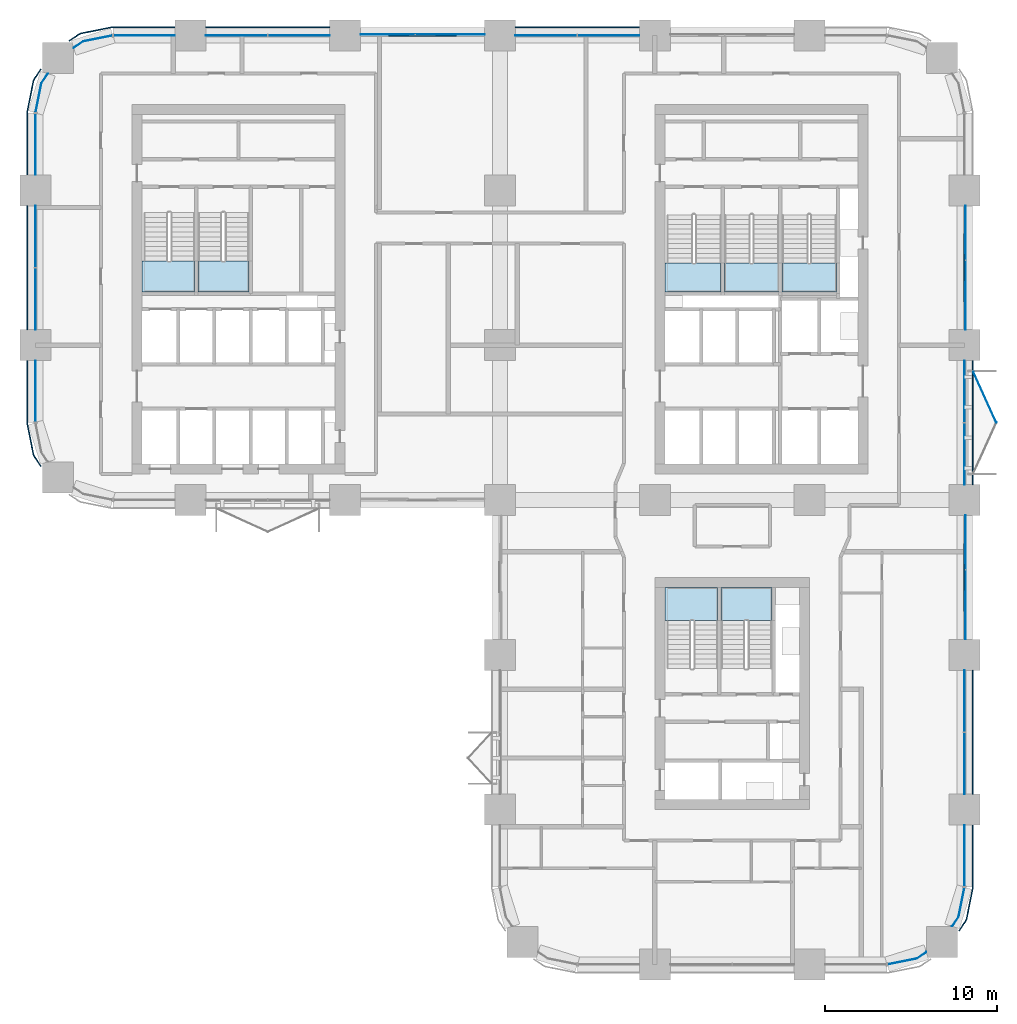
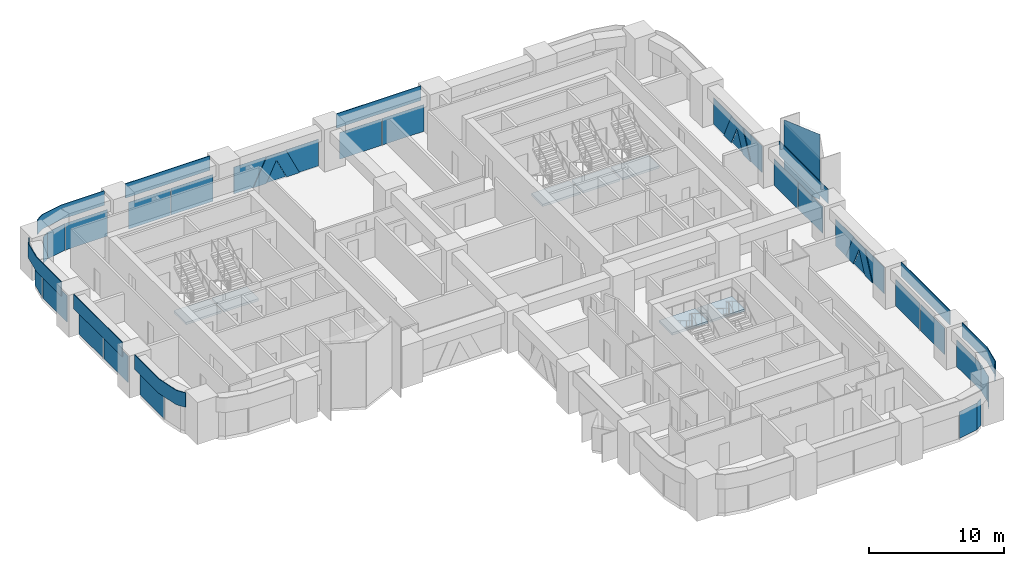
# One storey, part 11 of 24: 40 plates, 7 slabs, 20 elements without a shape of their own.
"""IFC4 building model written with IfcOpenShell, lengths in metres."""

from ifc_helpers import new_model, si_unit, direction, frame, origin, origin_2d, place, context, subcontext, project, spatial, polyline, rectangle, outline, extrude, material, layer, layer_set, type_object, element, aggregate, save


model = new_model("IFC4")

# Units and contexts
model_context = context("Model", 3, precision=1e-05, world=origin(), true_north=direction((0.0, 1.0)))
body_context = subcontext(model_context, "Body", "Model", "MODEL_VIEW")
ifc_project = project(units=[si_unit("LENGTHUNIT", "METRE"), si_unit("AREAUNIT", "SQUARE_METRE"), si_unit("VOLUMEUNIT", "CUBIC_METRE"), si_unit("PLANEANGLEUNIT", "RADIAN"), si_unit("MASSUNIT", "GRAM", prefix="KILO")], contexts=[model_context])

# Site, building, storey
site_placement = place(None, origin())
site = spatial("IfcSite", under=ifc_project, at=site_placement, CompositionType="ELEMENT")
building_placement = place(site_placement, origin())
building = spatial("IfcBuilding", under=site, at=building_placement, Name="Tessera Arch", CompositionType="ELEMENT")
storey_placement = place(building_placement, frame((0.0, 0.0, 81.60009765625)))
storey = spatial("IfcBuildingStorey", under=building, at=storey_placement, Name="L18", CompositionType="ELEMENT", Elevation=81.60009765625)

# Curtain wall, plates
ifc_material_1 = material(Name="CW1 curtain wall")
curtain_wall_type_1 = type_object("IfcCurtainWallType", Name="CW1 curtain wall", PredefinedType="NOTDEFINED", material=ifc_material_1)
curtain_wall_1_placement = place(storey_placement, origin())
curtain_wall_1 = element("IfcCurtainWall", 1, at=curtain_wall_1_placement, inside=storey, type_object=curtain_wall_type_1, Name="CW1 curtain wall N54.0/1 L18", PredefinedType="NOTDEFINED")
ifc_material_2 = material(Name="Clear low-e glass", Category="glass")
ifc_material_3 = material(Name="Clear low-e glass", Category="glass")
ifc_layer_1 = layer(ifc_material_3, 0.028076171875)
ifc_layer_set_1 = layer_set([ifc_layer_1], Name="CW1 glass panel")
plate_type_1 = type_object("IfcPlateType", Name="CW1 glass panel", PredefinedType="CURTAIN_PANEL", material=ifc_layer_set_1)
plate_1_placement = place(storey_placement, frame((33.31494140625, 54.0, 0.0), z_axis=(0.0, 0.0, 1.0), x_axis=(-1.0, 0.0, 0.0)))
plate_1 = element("IfcPlate", 2, at=plate_1_placement, type_object=plate_type_1, material=ifc_material_2, Name="CW1 glass panel N54.0/1 1.1.1", PredefinedType="CURTAIN_PANEL", context=body_context, shape_type="SweptSolid", body=[
    extrude(rectangle(XDim=3.570068359375, YDim=0.028076171875, at=origin_2d()), origin(), (0.0, 0.0, 1.0), 2.39990234375),
])
plate_2_placement = place(storey_placement, frame((29.68505859375, 54.0, 0.0), z_axis=(0.0, 0.0, 1.0), x_axis=(-1.0, 0.0, 0.0)))
plate_2 = element("IfcPlate", 3, at=plate_2_placement, type_object=plate_type_1, material=ifc_material_2, Name="CW1 glass panel N54.0/1 1.2.1", PredefinedType="CURTAIN_PANEL", context=body_context, shape_type="SweptSolid", body=[
    extrude(rectangle(XDim=3.570068359375, YDim=0.028076171875, at=origin_2d()), origin(), (0.0, 0.0, 1.0), 2.39990234375),
])

curtain_wall_2_placement = place(storey_placement, origin())
curtain_wall_2 = element("IfcCurtainWall", 4, at=curtain_wall_2_placement, inside=storey, type_object=curtain_wall_type_1, Name="CW1 curtain wall N54.0/3 L18", PredefinedType="NOTDEFINED")
plate_3_placement = place(storey_placement, frame((15.31494140625, 54.0, 0.0), z_axis=(0.0, 0.0, 1.0), x_axis=(-1.0, 0.0, 0.0)))
plate_3 = element("IfcPlate", 5, at=plate_3_placement, type_object=plate_type_1, material=ifc_material_2, Name="CW1 glass panel N54.0/3 1.1.1", PredefinedType="CURTAIN_PANEL", context=body_context, shape_type="SweptSolid", body=[
    extrude(rectangle(XDim=3.570068359375, YDim=0.028076171875, at=origin_2d()), origin(), (0.0, 0.0, 1.0), 2.39990234375),
])
plate_4_placement = place(storey_placement, frame((11.68505859375, 54.0, 0.0), z_axis=(0.0, 0.0, 1.0), x_axis=(-1.0, 0.0, 0.0)))
plate_4 = element("IfcPlate", 6, at=plate_4_placement, type_object=plate_type_1, material=ifc_material_2, Name="CW1 glass panel N54.0/3 1.2.1", PredefinedType="CURTAIN_PANEL", context=body_context, shape_type="SweptSolid", body=[
    extrude(rectangle(XDim=3.570068359375, YDim=0.028076171875, at=origin_2d()), origin(), (0.0, 0.0, 1.0), 2.39990234375),
])

curtain_wall_3_placement = place(storey_placement, origin())
curtain_wall_3 = element("IfcCurtainWall", 7, at=curtain_wall_3_placement, inside=storey, type_object=curtain_wall_type_1, Name="CW1 curtain wall W0.27/1 L18", PredefinedType="NOTDEFINED")
plate_5_placement = place(storey_placement, frame((0.0, 42.31494140625, 0.0), z_axis=(0.0, 0.0, 1.0), x_axis=(0.0, -1.0, 0.0)))
plate_5 = element("IfcPlate", 8, at=plate_5_placement, type_object=plate_type_1, material=ifc_material_2, Name="CW1 glass panel W0.27/1 1.1.1", PredefinedType="CURTAIN_PANEL", context=body_context, shape_type="SweptSolid", body=[
    extrude(rectangle(XDim=3.570068359375, YDim=0.028076171875, at=origin_2d()), origin(), (0.0, 0.0, 1.0), 2.39990234375),
])
plate_6_placement = place(storey_placement, frame((0.0, 38.68505859375, 0.0), z_axis=(0.0, 0.0, 1.0), x_axis=(0.0, -1.0, 0.0)))
plate_6 = element("IfcPlate", 9, at=plate_6_placement, type_object=plate_type_1, material=ifc_material_2, Name="CW1 glass panel W0.27/1 1.2.1", PredefinedType="CURTAIN_PANEL", context=body_context, shape_type="SweptSolid", body=[
    extrude(rectangle(XDim=3.570068359375, YDim=0.028076171875, at=origin_2d()), origin(), (0.0, 0.0, 1.0), 2.39990234375),
])

curtain_wall_4_placement = place(storey_placement, origin())
curtain_wall_4 = element("IfcCurtainWall", 10, at=curtain_wall_4_placement, inside=storey, type_object=curtain_wall_type_1, Name="CW1 curtain wall E54.0/1 L18", PredefinedType="NOTDEFINED")
plate_7_placement = place(storey_placement, frame((54.0, 11.68505859375, 0.0), z_axis=(0.0, 0.0, 1.0), x_axis=(0.0, 1.0, 0.0)))
plate_7 = element("IfcPlate", 11, at=plate_7_placement, type_object=plate_type_1, material=ifc_material_2, Name="CW1 glass panel E54.0/1 1.1.1", PredefinedType="CURTAIN_PANEL", context=body_context, shape_type="SweptSolid", body=[
    extrude(rectangle(XDim=3.570068359375, YDim=0.028076171875, at=origin_2d()), origin(), (0.0, 0.0, 1.0), 2.39990234375),
])
plate_8_placement = place(storey_placement, frame((54.0, 15.31494140625, 0.0), z_axis=(0.0, 0.0, 1.0), x_axis=(0.0, 1.0, 0.0)))
plate_8 = element("IfcPlate", 12, at=plate_8_placement, type_object=plate_type_1, material=ifc_material_2, Name="CW1 glass panel E54.0/1 1.2.1", PredefinedType="CURTAIN_PANEL", context=body_context, shape_type="SweptSolid", body=[
    extrude(rectangle(XDim=3.570068359375, YDim=0.028076171875, at=origin_2d()), origin(), (0.0, 0.0, 1.0), 2.39990234375),
])

curtain_wall_5_placement = place(storey_placement, origin())
curtain_wall_5 = element("IfcCurtainWall", 13, at=curtain_wall_5_placement, inside=storey, type_object=curtain_wall_type_1, Name="CW1 curtain wall E54.0/3 L18", PredefinedType="NOTDEFINED")
plate_9_placement = place(storey_placement, frame((54.0, 29.68505859375, 0.0), z_axis=(0.0, 0.0, 1.0), x_axis=(0.0, 1.0, 0.0)))
plate_9 = element("IfcPlate", 14, at=plate_9_placement, type_object=plate_type_1, material=ifc_material_2, Name="CW1 glass panel E54.0/3 1.1.1", PredefinedType="CURTAIN_PANEL", context=body_context, shape_type="SweptSolid", body=[
    extrude(rectangle(XDim=3.570068359375, YDim=0.028076171875, at=origin_2d()), origin(), (0.0, 0.0, 1.0), 2.39990234375),
])
plate_10_placement = place(storey_placement, frame((54.0, 33.31494140625, 0.0), z_axis=(0.0, 0.0, 1.0), x_axis=(0.0, 1.0, 0.0)))
plate_10 = element("IfcPlate", 15, at=plate_10_placement, type_object=plate_type_1, material=ifc_material_2, Name="CW1 glass panel E54.0/3 1.2.1", PredefinedType="CURTAIN_PANEL", context=body_context, shape_type="SweptSolid", body=[
    extrude(rectangle(XDim=3.570068359375, YDim=0.028076171875, at=origin_2d()), origin(), (0.0, 0.0, 1.0), 2.39990234375),
])

# Plate
ifc_material_4 = material(Name="Pale anodised aluminium panel", Category="aluminium")
ifc_layer_2 = layer(ifc_material_4, 0.06005859375)
ifc_layer_set_2 = layer_set([ifc_layer_2], Name="CW1 spandrel panel")
plate_type_2 = type_object("IfcPlateType", Name="CW1 spandrel panel", PredefinedType="CURTAIN_PANEL", material=ifc_layer_set_2)
plate_11_placement = place(storey_placement, frame((31.5, 54.47998046875, 2.5), z_axis=(0.0, 0.0, 1.0), x_axis=(-1.0, 0.0, 0.0)))
plate_11 = element("IfcPlate", 16, at=plate_11_placement, type_object=plate_type_2, Name="CW1 spandrel panel N54.0/1", PredefinedType="CURTAIN_PANEL", context=body_context, shape_type="SweptSolid", body=[
    extrude(rectangle(XDim=7.199951171875, YDim=0.06005859375, at=origin_2d()), origin(), (0.0, 0.0, 1.0), 1.300048828125),
])

aggregate(curtain_wall_1, [plate_1, plate_2, plate_11])

plate_12_placement = place(storey_placement, frame((13.5, 54.47998046875, 2.5), z_axis=(0.0, 0.0, 1.0), x_axis=(-1.0, 0.0, 0.0)))
plate_12 = element("IfcPlate", 17, at=plate_12_placement, type_object=plate_type_2, Name="CW1 spandrel panel N54.0/3", PredefinedType="CURTAIN_PANEL", context=body_context, shape_type="SweptSolid", body=[
    extrude(rectangle(XDim=7.199951171875, YDim=0.06005859375, at=origin_2d()), origin(), (0.0, 0.0, 1.0), 1.300048828125),
])

aggregate(curtain_wall_2, [plate_3, plate_4, plate_12])

plate_13_placement = place(storey_placement, frame((-0.47998046875, 40.5, 2.5), z_axis=(0.0, 0.0, 1.0), x_axis=(0.0, -1.0, 0.0)))
plate_13 = element("IfcPlate", 18, at=plate_13_placement, type_object=plate_type_2, Name="CW1 spandrel panel W0.27/1", PredefinedType="CURTAIN_PANEL", context=body_context, shape_type="SweptSolid", body=[
    extrude(rectangle(XDim=7.199951171875, YDim=0.06005859375, at=origin_2d()), origin(), (0.0, 0.0, 1.0), 1.300048828125),
])

aggregate(curtain_wall_3, [plate_5, plate_6, plate_13])

plate_14_placement = place(storey_placement, frame((54.47998046875, 13.5, 2.5), z_axis=(0.0, 0.0, 1.0), x_axis=(0.0, 1.0, 0.0)))
plate_14 = element("IfcPlate", 19, at=plate_14_placement, type_object=plate_type_2, Name="CW1 spandrel panel E54.0/1", PredefinedType="CURTAIN_PANEL", context=body_context, shape_type="SweptSolid", body=[
    extrude(rectangle(XDim=7.199951171875, YDim=0.06005859375, at=origin_2d()), origin(), (0.0, 0.0, 1.0), 1.300048828125),
])

aggregate(curtain_wall_4, [plate_7, plate_8, plate_14])

plate_15_placement = place(storey_placement, frame((54.47998046875, 31.5, 2.5), z_axis=(0.0, 0.0, 1.0), x_axis=(0.0, 1.0, 0.0)))
plate_15 = element("IfcPlate", 20, at=plate_15_placement, type_object=plate_type_2, Name="CW1 spandrel panel E54.0/3", PredefinedType="CURTAIN_PANEL", context=body_context, shape_type="SweptSolid", body=[
    extrude(rectangle(XDim=7.199951171875, YDim=0.06005859375, at=origin_2d()), origin(), (0.0, 0.0, 1.0), 1.300048828125),
])

aggregate(curtain_wall_5, [plate_9, plate_10, plate_15])

# Curtain wall, plates
ifc_material_5 = material(Name="CW2 curtain wall")
curtain_wall_type_2 = type_object("IfcCurtainWallType", Name="CW2 curtain wall", PredefinedType="NOTDEFINED", material=ifc_material_5)
curtain_wall_6_placement = place(storey_placement, origin())
curtain_wall_6 = element("IfcCurtainWall", 21, at=curtain_wall_6_placement, inside=storey, type_object=curtain_wall_type_2, Name="CW2 curtain wall N54.0/4 L18", PredefinedType="NOTDEFINED")
ifc_material_6 = material(Name="Clear low-e glass", Category="glass")
ifc_layer_3 = layer(ifc_material_6, 0.028076171875)
ifc_layer_set_3 = layer_set([ifc_layer_3], Name="CW2 glass panel")
plate_type_3 = type_object("IfcPlateType", Name="CW2 glass panel", PredefinedType="CURTAIN_PANEL", material=ifc_layer_set_3)
plate_16_placement = place(storey_placement, frame((6.320068359375, 54.0, 0.0), z_axis=(0.0, 0.0, 1.0), x_axis=(-1.0, 0.0, 0.0)))
plate_16 = element("IfcPlate", 22, at=plate_16_placement, type_object=plate_type_3, material=ifc_material_2, Name="CW2 glass panel N54.0/4 1.1", PredefinedType="CURTAIN_PANEL", context=body_context, shape_type="SweptSolid", body=[
    extrude(rectangle(XDim=3.56005859375, YDim=0.028076171875, at=origin_2d()), origin(), (0.0, 0.0, 1.0), 2.39990234375),
])
plate_17_placement = place(storey_placement, origin())
plate_17 = element("IfcPlate", 23, at=plate_17_placement, type_object=plate_type_3, material=ifc_material_2, Name="CW2 curved glass panel N54.0/4 2.1", PredefinedType="CURTAIN_PANEL", context=body_context, shape_type="SweptSolid", body=[
    extrude(outline(polyline([(2.783447265625, 53.644287109375), (4.46337890625, 53.978515625), (4.4580078125, 54.005859375), (2.7724609375, 53.670654296875), (2.210205078125, 53.294921875), (2.225830078125, 53.271728515625), (2.783447265625, 53.644287109375)])), origin(), (0.0, 0.0, 1.0), 2.39990234375),
])

curtain_wall_7_placement = place(storey_placement, origin())
curtain_wall_7 = element("IfcCurtainWall", 24, at=curtain_wall_7_placement, inside=storey, type_object=curtain_wall_type_2, Name="CW2 curtain wall W0.27/0 L18", PredefinedType="NOTDEFINED")
plate_18_placement = place(storey_placement, frame((0.0, 47.679931640625, 0.0), z_axis=(0.0, 0.0, 1.0), x_axis=(0.0, -1.0, 0.0)))
plate_18 = element("IfcPlate", 25, at=plate_18_placement, type_object=plate_type_3, material=ifc_material_2, Name="CW2 glass panel W0.27/0 1.1", PredefinedType="CURTAIN_PANEL", context=body_context, shape_type="SweptSolid", body=[
    extrude(rectangle(XDim=3.56005859375, YDim=0.028076171875, at=origin_2d()), origin(), (0.0, 0.0, 1.0), 2.39990234375),
])
plate_19_placement = place(storey_placement, origin())
plate_19 = element("IfcPlate", 26, at=plate_19_placement, type_object=plate_type_3, material=ifc_material_2, Name="CW2 curved glass panel W0.27/0 2.1", PredefinedType="CURTAIN_PANEL", context=body_context, shape_type="SweptSolid", body=[
    extrude(outline(polyline([(0.355712890625, 51.216552734375), (0.728271484375, 51.774169921875), (0.705078125, 51.789794921875), (0.329345703125, 51.2275390625), (-0.005859375, 49.5419921875), (0.021484375, 49.53662109375), (0.355712890625, 51.216552734375)])), origin(), (0.0, 0.0, 1.0), 2.39990234375),
])

# Curtain wall, plate
curtain_wall_8_placement = place(storey_placement, origin())
curtain_wall_8 = element("IfcCurtainWall", 27, at=curtain_wall_8_placement, inside=storey, type_object=curtain_wall_type_2, Name="CW2 curtain wall W0.27/2 L18", PredefinedType="NOTDEFINED")
plate_20_placement = place(storey_placement, frame((0.0, 33.320068359375, 0.0), z_axis=(0.0, 0.0, 1.0), x_axis=(0.0, -1.0, 0.0)))
plate_20 = element("IfcPlate", 28, at=plate_20_placement, type_object=plate_type_3, material=ifc_material_2, Name="CW2 glass panel W0.27/2 1.1", PredefinedType="CURTAIN_PANEL", context=body_context, shape_type="SweptSolid", body=[
    extrude(rectangle(XDim=3.56005859375, YDim=0.028076171875, at=origin_2d()), origin(), (0.0, 0.0, 1.0), 2.39990234375),
])

curtain_wall_9_placement = place(storey_placement, origin())
curtain_wall_9 = element("IfcCurtainWall", 29, at=curtain_wall_9_placement, inside=storey, type_object=curtain_wall_type_2, Name="CW2 curtain wall S0.27/2 L18", PredefinedType="NOTDEFINED")
plate_21_placement = place(storey_placement, origin())
plate_21 = element("IfcPlate", 30, at=plate_21_placement, type_object=plate_type_3, material=ifc_material_2, Name="CW2 curved glass panel S0.27/2 2.1", PredefinedType="CURTAIN_PANEL", context=body_context, shape_type="SweptSolid", body=[
    extrude(outline(polyline([(51.216552734375, 0.355712890625), (49.53662109375, 0.021484375), (49.5419921875, -0.005859375), (51.2275390625, 0.329345703125), (51.789794921875, 0.705078125), (51.774169921875, 0.728271484375), (51.216552734375, 0.355712890625)])), origin(), (0.0, 0.0, 1.0), 2.39990234375),
])
aggregate(curtain_wall_9, [plate_21])

# Curtain wall, plates
curtain_wall_10_placement = place(storey_placement, origin())
curtain_wall_10 = element("IfcCurtainWall", 31, at=curtain_wall_10_placement, inside=storey, type_object=curtain_wall_type_2, Name="CW2 curtain wall E54.0/0 L18", PredefinedType="NOTDEFINED")
plate_22_placement = place(storey_placement, frame((54.0, 6.320068359375, 0.0), z_axis=(0.0, 0.0, 1.0), x_axis=(0.0, 1.0, 0.0)))
plate_22 = element("IfcPlate", 32, at=plate_22_placement, type_object=plate_type_3, material=ifc_material_2, Name="CW2 glass panel E54.0/0 1.1", PredefinedType="CURTAIN_PANEL", context=body_context, shape_type="SweptSolid", body=[
    extrude(rectangle(XDim=3.56005859375, YDim=0.028076171875, at=origin_2d()), origin(), (0.0, 0.0, 1.0), 2.39990234375),
])
plate_23_placement = place(storey_placement, origin())
plate_23 = element("IfcPlate", 33, at=plate_23_placement, type_object=plate_type_3, material=ifc_material_2, Name="CW2 curved glass panel E54.0/0 2.1", PredefinedType="CURTAIN_PANEL", context=body_context, shape_type="SweptSolid", body=[
    extrude(outline(polyline([(53.644287109375, 2.783447265625), (53.271728515625, 2.225830078125), (53.294921875, 2.210205078125), (53.670654296875, 2.7724609375), (54.005859375, 4.4580078125), (53.978515625, 4.46337890625), (53.644287109375, 2.783447265625)])), origin(), (0.0, 0.0, 1.0), 2.39990234375),
])

# Plate
ifc_material_7 = material(Name="Pale anodised aluminium panel", Category="aluminium")
ifc_layer_4 = layer(ifc_material_7, 0.06005859375)
ifc_layer_set_4 = layer_set([ifc_layer_4], Name="CW2 spandrel panel")
plate_type_4 = type_object("IfcPlateType", Name="CW2 spandrel panel", PredefinedType="CURTAIN_PANEL", material=ifc_layer_set_4)
plate_24_placement = place(storey_placement, frame((0.0, 0.0, 2.5)))
plate_24 = element("IfcPlate", 34, at=plate_24_placement, type_object=plate_type_4, Name="CW2 spandrel panel N54.0/4", PredefinedType="CURTAIN_PANEL", context=body_context, shape_type="SweptSolid", body=[
    extrude(outline(polyline([(4.500732421875, 54.449951171875), (8.10009765625, 54.449951171875), (8.10009765625, 54.510009765625), (4.499267578125, 54.510009765625), (4.449951171875, 54.507568359375), (4.401123046875, 54.500244140625), (2.677734375, 54.157470703125), (2.6298828125, 54.1455078125), (2.582763671875, 54.128662109375), (2.537353515625, 54.107177734375), (2.4951171875, 54.08203125), (1.9345703125, 53.707275390625), (1.968017578125, 53.657470703125), (2.52734375, 54.03125), (2.565673828125, 54.05419921875), (2.605712890625, 54.0732421875), (2.647216796875, 54.088134765625), (2.69091796875, 54.09912109375), (4.411376953125, 54.441162109375), (4.455810546875, 54.44775390625), (4.500732421875, 54.449951171875)])), origin(), (0.0, 0.0, 1.0), 1.2998046875),
])

aggregate(curtain_wall_6, [plate_16, plate_17, plate_24])

plate_25_placement = place(storey_placement, frame((0.0, 0.0, 2.5)))
plate_25 = element("IfcPlate", 35, at=plate_25_placement, type_object=plate_type_4, Name="CW2 spandrel panel W0.27/0", PredefinedType="CURTAIN_PANEL", context=body_context, shape_type="SweptSolid", body=[
    extrude(outline(polyline([(-0.03125, 51.47265625), (0.342529296875, 52.031982421875), (0.292724609375, 52.0654296875), (-0.08203125, 51.5048828125), (-0.107177734375, 51.462646484375), (-0.128662109375, 51.417236328125), (-0.1455078125, 51.3701171875), (-0.157470703125, 51.322265625), (-0.500244140625, 49.598876953125), (-0.507568359375, 49.550048828125), (-0.510009765625, 49.500732421875), (-0.510009765625, 45.89990234375), (-0.449951171875, 45.89990234375), (-0.449951171875, 49.499267578125), (-0.44775390625, 49.544189453125), (-0.441162109375, 49.588623046875), (-0.09912109375, 51.30908203125), (-0.088134765625, 51.352783203125), (-0.0732421875, 51.394287109375), (-0.05419921875, 51.434326171875), (-0.03125, 51.47265625)])), origin(), (0.0, 0.0, 1.0), 1.2998046875),
])

aggregate(curtain_wall_7, [plate_18, plate_19, plate_25])

plate_26_placement = place(storey_placement, frame((0.0, 0.0, 2.5)))
plate_26 = element("IfcPlate", 36, at=plate_26_placement, type_object=plate_type_4, Name="CW2 spandrel panel W0.27/2", PredefinedType="CURTAIN_PANEL", context=body_context, shape_type="SweptSolid", body=[
    extrude(outline(polyline([(-0.449951171875, 31.500732421875), (-0.449951171875, 35.10009765625), (-0.510009765625, 35.10009765625), (-0.510009765625, 31.499267578125), (-0.507568359375, 31.449951171875), (-0.500244140625, 31.401123046875), (-0.157470703125, 29.677734375), (-0.1455078125, 29.6298828125), (-0.128662109375, 29.582763671875), (-0.107177734375, 29.537353515625), (-0.08203125, 29.4951171875), (0.292724609375, 28.9345703125), (0.342529296875, 28.968017578125), (-0.03125, 29.52734375), (-0.05419921875, 29.565673828125), (-0.0732421875, 29.605712890625), (-0.088134765625, 29.647216796875), (-0.09912109375, 29.69091796875), (-0.441162109375, 31.411376953125), (-0.44775390625, 31.455810546875), (-0.449951171875, 31.500732421875)])), origin(), (0.0, 0.0, 1.0), 1.2998046875),
])

aggregate(curtain_wall_8, [plate_20, plate_26])

plate_27_placement = place(storey_placement, frame((0.0, 0.0, 2.5)))
plate_27 = element("IfcPlate", 37, at=plate_27_placement, type_object=plate_type_4, Name="CW2 spandrel panel E54.0/0", PredefinedType="CURTAIN_PANEL", context=body_context, shape_type="SweptSolid", body=[
    extrude(outline(polyline([(54.03125, 2.52734375), (53.657470703125, 1.968017578125), (53.707275390625, 1.9345703125), (54.08203125, 2.4951171875), (54.107177734375, 2.537353515625), (54.128662109375, 2.582763671875), (54.1455078125, 2.6298828125), (54.157470703125, 2.677734375), (54.500244140625, 4.401123046875), (54.507568359375, 4.449951171875), (54.510009765625, 4.499267578125), (54.510009765625, 8.10009765625), (54.449951171875, 8.10009765625), (54.449951171875, 4.500732421875), (54.44775390625, 4.455810546875), (54.441162109375, 4.411376953125), (54.09912109375, 2.69091796875), (54.088134765625, 2.647216796875), (54.0732421875, 2.605712890625), (54.05419921875, 2.565673828125), (54.03125, 2.52734375)])), origin(), (0.0, 0.0, 1.0), 1.2998046875),
])

aggregate(curtain_wall_10, [plate_22, plate_23, plate_27])

# Curtain wall, plate
ifc_material_8 = material(Name="CW3 curtain wall")
curtain_wall_type_3 = type_object("IfcCurtainWallType", Name="CW3 curtain wall", PredefinedType="NOTDEFINED", material=ifc_material_8)
curtain_wall_11_placement = place(storey_placement, origin())
curtain_wall_11 = element("IfcCurtainWall", 38, at=curtain_wall_11_placement, inside=storey, type_object=curtain_wall_type_3, Name="CW3 curtain wall N54.0/2 L18", PredefinedType="NOTDEFINED")
ifc_material_9 = material(Name="Pale anodised aluminium panel", Category="aluminium")
ifc_layer_5 = layer(ifc_material_9, 0.06005859375)
ifc_layer_set_5 = layer_set([ifc_layer_5], Name="CW3 diagonal panel")
plate_type_5 = type_object("IfcPlateType", Name="CW3 diagonal panel", PredefinedType="CURTAIN_PANEL", material=ifc_layer_set_5)
plate_28_placement = place(storey_placement, frame((21.665771484375, 54.030029296875, 2.39990234375), z_axis=(0.0, 1.0, 0.0), x_axis=(1.0, 0.0, 0.0)))
plate_28 = element("IfcPlate", 39, at=plate_28_placement, type_object=plate_type_5, Name="CW3 diagonal panel N54.0/2 1", PredefinedType="CURTAIN_PANEL", context=body_context, shape_type="SweptSolid", body=[
    extrude(outline(polyline([(0.0, 0.0), (1.66845703125, 0.0), (2.80517578125, 2.39990234375), (1.705322265625, 2.39990234375), (0.834228515625, 0.56103515625), (-0.036865234375, 2.39990234375), (-1.13671875, 2.39990234375), (0.0, 0.0)])), origin(), (0.0, 0.0, -1.0), 0.06005859375),
])

curtain_wall_12_placement = place(storey_placement, origin())
curtain_wall_12 = element("IfcCurtainWall", 40, at=curtain_wall_12_placement, inside=storey, type_object=curtain_wall_type_3, Name="CW3 curtain wall E54.0/2 L18", PredefinedType="NOTDEFINED")
plate_29_placement = place(storey_placement, frame((54.030029296875, 23.334228515625, 2.39990234375), z_axis=(1.0, 0.0, 0.0), x_axis=(0.0, -1.0, 0.0)))
plate_29 = element("IfcPlate", 41, at=plate_29_placement, type_object=plate_type_5, Name="CW3 diagonal panel E54.0/2 1", PredefinedType="CURTAIN_PANEL", context=body_context, shape_type="SweptSolid", body=[
    extrude(outline(polyline([(0.0, 0.0), (1.66845703125, 0.0), (2.80517578125, 2.39990234375), (1.705322265625, 2.39990234375), (0.834228515625, 0.56103515625), (-0.036865234375, 2.39990234375), (-1.13671875, 2.39990234375), (0.0, 0.0)])), origin(), (0.0, 0.0, -1.0), 0.06005859375),
])

curtain_wall_13_placement = place(storey_placement, origin())
curtain_wall_13 = element("IfcCurtainWall", 42, at=curtain_wall_13_placement, inside=storey, type_object=curtain_wall_type_3, Name="CW3 curtain wall E54.0/4 L18", PredefinedType="NOTDEFINED")
plate_30_placement = place(storey_placement, frame((54.030029296875, 41.334228515625, 2.39990234375), z_axis=(1.0, 0.0, 0.0), x_axis=(0.0, -1.0, 0.0)))
plate_30 = element("IfcPlate", 43, at=plate_30_placement, type_object=plate_type_5, Name="CW3 diagonal panel E54.0/4 1", PredefinedType="CURTAIN_PANEL", context=body_context, shape_type="SweptSolid", body=[
    extrude(outline(polyline([(0.0, 0.0), (1.66845703125, 0.0), (2.80517578125, 2.39990234375), (1.705322265625, 2.39990234375), (0.834228515625, 0.56103515625), (-0.036865234375, 2.39990234375), (-1.13671875, 2.39990234375), (0.0, 0.0)])), origin(), (0.0, 0.0, -1.0), 0.06005859375),
])

# Plate
ifc_material_10 = material(Name="Clear low-e glass", Category="glass")
ifc_layer_6 = layer(ifc_material_10, 0.028076171875)
ifc_layer_set_6 = layer_set([ifc_layer_6], Name="CW3 glass panel")
plate_type_6 = type_object("IfcPlateType", Name="CW3 glass panel", PredefinedType="CURTAIN_PANEL", material=ifc_layer_set_6)
plate_31_placement = place(storey_placement, frame((26.10009765625, 54.05810546875, 0.0), z_axis=(0.0, 1.0, 0.0), x_axis=(-1.0, 0.0, 0.0)))
plate_31 = element("IfcPlate", 44, at=plate_31_placement, type_object=plate_type_6, material=ifc_material_2, Name="CW3 triangulated glass panel N54.0/2 1", PredefinedType="CURTAIN_PANEL", context=body_context, shape_type="SweptSolid", body=[
    extrude(outline(polyline([(0.0, 0.0), (1.629150390625, 0.0), (2.765869140625, 2.39990234375), (0.0, 2.39990234375), (0.0, 0.0)])), origin(), (0.0, 0.0, -1.0), 0.028076171875),
])

plate_32_placement = place(storey_placement, frame((23.37109375, 54.0859375, 0.0), z_axis=(0.0, 1.0, 0.0), x_axis=(-1.0, 0.0, 0.0)))
plate_32 = element("IfcPlate", 45, at=plate_32_placement, type_object=plate_type_6, material=ifc_material_2, Name="CW3 triangulated glass panel N54.0/2 2", PredefinedType="CURTAIN_PANEL", context=body_context, shape_type="SweptSolid", body=[
    extrude(outline(polyline([(0.0, 0.0), (1.7421875, 0.0), (0.87109375, 1.8388671875), (0.0, 0.0)])), origin(), (0.0, 0.0, -1.0), 0.028076171875),
])

plate_33_placement = place(storey_placement, frame((18.89990234375, 54.05810546875, 2.39990234375), z_axis=(0.0, 1.0, 0.0), x_axis=(1.0, 0.0, 0.0)))
plate_33 = element("IfcPlate", 46, at=plate_33_placement, type_object=plate_type_6, material=ifc_material_2, Name="CW3 triangulated glass panel N54.0/2 3", PredefinedType="CURTAIN_PANEL", context=body_context, shape_type="SweptSolid", body=[
    extrude(outline(polyline([(0.0, 0.0), (2.765869140625, 0.0), (1.629150390625, 2.39990234375), (0.0, 2.39990234375), (0.0, 0.0)])), origin(), (0.0, 0.0, -1.0), 0.028076171875),
])

aggregate(curtain_wall_11, [plate_31, plate_32, plate_33, plate_28])

plate_34_placement = place(storey_placement, frame((54.05810546875, 18.89990234375, 0.0), z_axis=(1.0, 0.0, 0.0), x_axis=(0.0, 1.0, 0.0)))
plate_34 = element("IfcPlate", 47, at=plate_34_placement, type_object=plate_type_6, material=ifc_material_2, Name="CW3 triangulated glass panel E54.0/2 1", PredefinedType="CURTAIN_PANEL", context=body_context, shape_type="SweptSolid", body=[
    extrude(outline(polyline([(0.0, 0.0), (1.629150390625, 0.0), (2.765869140625, 2.39990234375), (0.0, 2.39990234375), (0.0, 0.0)])), origin(), (0.0, 0.0, -1.0), 0.028076171875),
])

plate_35_placement = place(storey_placement, frame((54.0859375, 21.62890625, 0.0), z_axis=(1.0, 0.0, 0.0), x_axis=(0.0, 1.0, 0.0)))
plate_35 = element("IfcPlate", 48, at=plate_35_placement, type_object=plate_type_6, material=ifc_material_2, Name="CW3 triangulated glass panel E54.0/2 2", PredefinedType="CURTAIN_PANEL", context=body_context, shape_type="SweptSolid", body=[
    extrude(outline(polyline([(0.0, 0.0), (1.7421875, 0.0), (0.87109375, 1.8388671875), (0.0, 0.0)])), origin(), (0.0, 0.0, -1.0), 0.028076171875),
])

plate_36_placement = place(storey_placement, frame((54.05810546875, 26.10009765625, 2.39990234375), z_axis=(1.0, 0.0, 0.0), x_axis=(0.0, -1.0, 0.0)))
plate_36 = element("IfcPlate", 49, at=plate_36_placement, type_object=plate_type_6, material=ifc_material_2, Name="CW3 triangulated glass panel E54.0/2 3", PredefinedType="CURTAIN_PANEL", context=body_context, shape_type="SweptSolid", body=[
    extrude(outline(polyline([(0.0, 0.0), (2.765869140625, 0.0), (1.629150390625, 2.39990234375), (0.0, 2.39990234375), (0.0, 0.0)])), origin(), (0.0, 0.0, -1.0), 0.028076171875),
])

aggregate(curtain_wall_12, [plate_34, plate_35, plate_36, plate_29])

plate_37_placement = place(storey_placement, frame((54.05810546875, 36.89990234375, 0.0), z_axis=(1.0, 0.0, 0.0), x_axis=(0.0, 1.0, 0.0)))
plate_37 = element("IfcPlate", 50, at=plate_37_placement, type_object=plate_type_6, material=ifc_material_2, Name="CW3 triangulated glass panel E54.0/4 1", PredefinedType="CURTAIN_PANEL", context=body_context, shape_type="SweptSolid", body=[
    extrude(outline(polyline([(0.0, 0.0), (1.629150390625, 0.0), (2.765869140625, 2.39990234375), (0.0, 2.39990234375), (0.0, 0.0)])), origin(), (0.0, 0.0, -1.0), 0.028076171875),
])

plate_38_placement = place(storey_placement, frame((54.0859375, 39.62890625, 0.0), z_axis=(1.0, 0.0, 0.0), x_axis=(0.0, 1.0, 0.0)))
plate_38 = element("IfcPlate", 51, at=plate_38_placement, type_object=plate_type_6, material=ifc_material_2, Name="CW3 triangulated glass panel E54.0/4 2", PredefinedType="CURTAIN_PANEL", context=body_context, shape_type="SweptSolid", body=[
    extrude(outline(polyline([(0.0, 0.0), (1.7421875, 0.0), (0.87109375, 1.8388671875), (0.0, 0.0)])), origin(), (0.0, 0.0, -1.0), 0.028076171875),
])

plate_39_placement = place(storey_placement, frame((54.05810546875, 44.10009765625, 2.39990234375), z_axis=(1.0, 0.0, 0.0), x_axis=(0.0, -1.0, 0.0)))
plate_39 = element("IfcPlate", 52, at=plate_39_placement, type_object=plate_type_6, material=ifc_material_2, Name="CW3 triangulated glass panel E54.0/4 3", PredefinedType="CURTAIN_PANEL", context=body_context, shape_type="SweptSolid", body=[
    extrude(outline(polyline([(0.0, 0.0), (2.765869140625, 0.0), (1.629150390625, 2.39990234375), (0.0, 2.39990234375), (0.0, 0.0)])), origin(), (0.0, 0.0, -1.0), 0.028076171875),
])

aggregate(curtain_wall_13, [plate_37, plate_38, plate_39, plate_30])

# Stair, slab
ifc_material_11 = material(Name="Concrete C40/50", Category="concrete")
stair_type_1 = type_object("IfcStairType", Name="Dogleg stair 1520", PredefinedType="HALF_TURN_STAIR", material=ifc_material_11)
stair_1_placement = place(storey_placement, origin())
stair_1 = element("IfcStair", 53, at=stair_1_placement, inside=storey, type_object=stair_type_1, Name="L18 S1a", PredefinedType="HALF_TURN_STAIR")
ifc_material_12 = material(Name="Concrete C40/50", Category="concrete")
ifc_layer_7 = layer(ifc_material_12, 0.300048828125)
ifc_layer_set_7 = layer_set([ifc_layer_7], Name="Stair landing 300")
slab_type = type_object("IfcSlabType", Name="Stair landing 300", PredefinedType="LANDING", material=ifc_layer_set_7)
slab_1_placement = place(storey_placement, frame((0.0, 0.0, 1.699951171875)))
slab_1 = element("IfcSlab", 54, at=slab_1_placement, type_object=slab_type, Name="S1a landing 1", PredefinedType="LANDING", context=body_context, shape_type="SweptSolid", body=[
    extrude(outline(polyline([(36.60009765625, 40.780029296875), (36.60009765625, 39.10009765625), (39.85009765625, 39.10009765625), (39.85009765625, 40.780029296875), (36.60009765625, 40.780029296875)])), origin(), (0.0, 0.0, 1.0), 0.199951171875),
])
aggregate(stair_1, [slab_1])

stair_2_placement = place(storey_placement, origin())
stair_2 = element("IfcStair", 55, at=stair_2_placement, inside=storey, type_object=stair_type_1, Name="L18 S1b", PredefinedType="HALF_TURN_STAIR")
slab_2_placement = place(storey_placement, frame((0.0, 0.0, 1.699951171875)))
slab_2 = element("IfcSlab", 56, at=slab_2_placement, type_object=slab_type, Name="S1b landing 1", PredefinedType="LANDING", context=body_context, shape_type="SweptSolid", body=[
    extrude(outline(polyline([(40.050048828125, 40.780029296875), (40.050048828125, 39.10009765625), (43.199951171875, 39.10009765625), (43.199951171875, 40.780029296875), (40.050048828125, 40.780029296875)])), origin(), (0.0, 0.0, 1.0), 0.199951171875),
])
aggregate(stair_2, [slab_2])

stair_3_placement = place(storey_placement, origin())
stair_3 = element("IfcStair", 57, at=stair_3_placement, inside=storey, type_object=stair_type_1, Name="L18 S1c", PredefinedType="HALF_TURN_STAIR")
slab_3_placement = place(storey_placement, frame((0.0, 0.0, 1.699951171875)))
slab_3 = element("IfcSlab", 58, at=slab_3_placement, type_object=slab_type, Name="S1c landing 1", PredefinedType="LANDING", context=body_context, shape_type="SweptSolid", body=[
    extrude(outline(polyline([(43.39990234375, 40.780029296875), (43.39990234375, 39.10009765625), (46.550048828125, 39.10009765625), (46.550048828125, 40.780029296875), (43.39990234375, 40.780029296875)])), origin(), (0.0, 0.0, 1.0), 0.199951171875),
])
aggregate(stair_3, [slab_3])

ifc_material_13 = material(Name="Concrete C40/50", Category="concrete")
stair_type_2 = type_object("IfcStairType", Name="Dogleg stair 1400", PredefinedType="HALF_TURN_STAIR", material=ifc_material_13)
stair_4_placement = place(storey_placement, origin())
stair_4 = element("IfcStair", 59, at=stair_4_placement, inside=storey, type_object=stair_type_2, Name="L18 S2a", PredefinedType="HALF_TURN_STAIR")
slab_4_placement = place(storey_placement, frame((0.0, 0.0, 1.699951171875)))
slab_4 = element("IfcSlab", 60, at=slab_4_placement, type_object=slab_type, Name="S2a landing 1", PredefinedType="LANDING", context=body_context, shape_type="SweptSolid", body=[
    extrude(outline(polyline([(6.199951171875, 40.89990234375), (6.199951171875, 39.10009765625), (9.25, 39.10009765625), (9.25, 40.89990234375), (6.199951171875, 40.89990234375)])), origin(), (0.0, 0.0, 1.0), 0.199951171875),
])
aggregate(stair_4, [slab_4])

stair_5_placement = place(storey_placement, origin())
stair_5 = element("IfcStair", 61, at=stair_5_placement, inside=storey, type_object=stair_type_2, Name="L18 S2b", PredefinedType="HALF_TURN_STAIR")
slab_5_placement = place(storey_placement, frame((0.0, 0.0, 1.699951171875)))
slab_5 = element("IfcSlab", 62, at=slab_5_placement, type_object=slab_type, Name="S2b landing 1", PredefinedType="LANDING", context=body_context, shape_type="SweptSolid", body=[
    extrude(outline(polyline([(9.449951171875, 40.89990234375), (9.449951171875, 39.10009765625), (12.39990234375, 39.10009765625), (12.39990234375, 40.89990234375), (9.449951171875, 40.89990234375)])), origin(), (0.0, 0.0, 1.0), 0.199951171875),
])
aggregate(stair_5, [slab_5])

stair_6_placement = place(storey_placement, origin())
stair_6 = element("IfcStair", 63, at=stair_6_placement, inside=storey, type_object=stair_type_2, Name="L18 S3a", PredefinedType="HALF_TURN_STAIR")
slab_6_placement = place(storey_placement, frame((0.0, 0.0, 1.699951171875)))
slab_6 = element("IfcSlab", 64, at=slab_6_placement, type_object=slab_type, Name="S3a landing 1", PredefinedType="LANDING", context=body_context, shape_type="SweptSolid", body=[
    extrude(outline(polyline([(39.64990234375, 20.0), (39.64990234375, 21.89990234375), (36.60009765625, 21.89990234375), (36.60009765625, 20.0), (39.64990234375, 20.0)])), origin(), (0.0, 0.0, 1.0), 0.199951171875),
])
aggregate(stair_6, [slab_6])

stair_7_placement = place(storey_placement, origin())
stair_7 = element("IfcStair", 65, at=stair_7_placement, inside=storey, type_object=stair_type_2, Name="L18 S3b", PredefinedType="HALF_TURN_STAIR")
slab_7_placement = place(storey_placement, frame((0.0, 0.0, 1.699951171875)))
slab_7 = element("IfcSlab", 66, at=slab_7_placement, type_object=slab_type, Name="S3b landing 1", PredefinedType="LANDING", context=body_context, shape_type="SweptSolid", body=[
    extrude(outline(polyline([(42.800048828125, 20.0), (42.800048828125, 21.89990234375), (39.85009765625, 21.89990234375), (39.85009765625, 20.0), (42.800048828125, 20.0)])), origin(), (0.0, 0.0, 1.0), 0.199951171875),
])
aggregate(stair_7, [slab_7])

# Plate
ifc_material_14 = material(Name="Clear low-e glass", Category="glass")
ifc_layer_8 = layer(ifc_material_14, 0.028076171875)
ifc_layer_set_8 = layer_set([ifc_layer_8], Name="Window box glass facet")
plate_type_7 = type_object("IfcPlateType", Name="Window box glass facet", PredefinedType="SHEET", material=ifc_layer_set_8)
plate_40_placement = place(storey_placement, frame((55.179931640625, 32.97509765625, 0.2197265625), z_axis=(0.0, 0.0, 1.0), x_axis=(0.413570397858, -0.910472144558, 0.0)))
element("IfcPlate", 67, at=plate_40_placement, inside=storey, type_object=plate_type_7, Name="Window box E54.0/3.0 2x2 glass", PredefinedType="SHEET", context=body_context, shape_type="SweptSolid", body=[
    extrude(rectangle(XDim=3.239990234375, YDim=0.028076171875, at=origin_2d()), origin(), (0.0, 0.0, 1.0), 5.860107421875),
])

save(model, "model.ifc")
